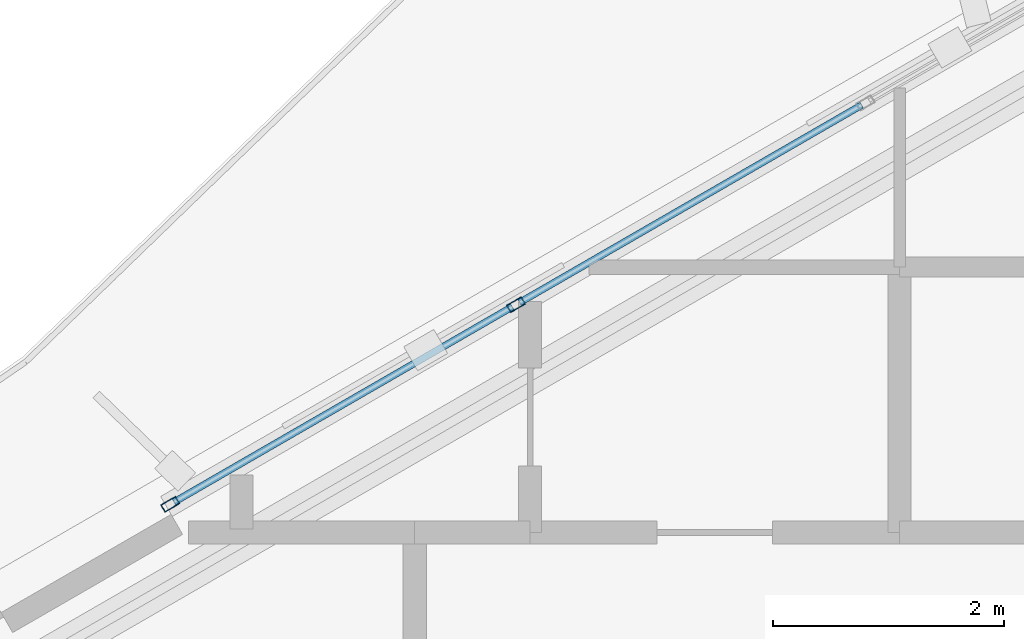
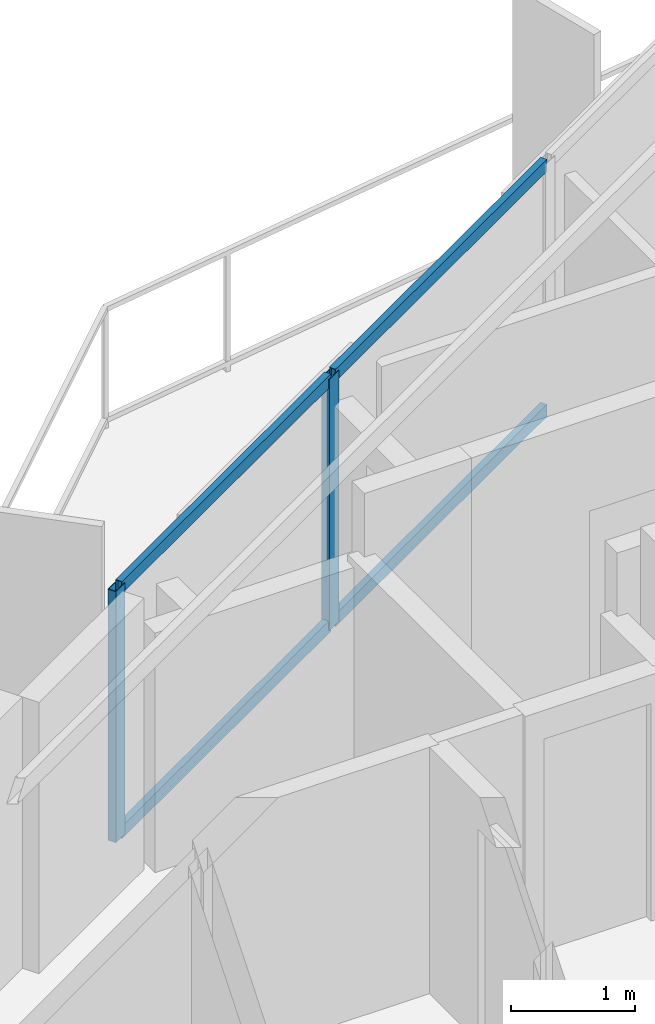
# One storey, part 5 of 18: 6 members, 1 element without a shape of its own.
"""IFC4 building model written with IfcOpenShell, lengths in metres."""

import ifcopenshell
import ifcopenshell.guid

model = None  # the IFC model being written
_history = None  # IfcOwnerHistory: only IFC2X3 demands one
_inside = {}  # id of a spatial element -> (the spatial element, [elements in it])
_under = {}  # id of a project, library or spatial element -> (it, [spatial elements below it])
_declared = {}  # id of a project -> (the project, [libraries it declares])
_typed = {}  # id of a type object -> (the type object, [elements of that type])
_made_of = {}  # id of a material, layer set ... -> (it, [elements and type objects made of it])


def new_model(schema):
    """Start an empty IFC model of exactly this schema.

    Asked for "IFC4X3", IfcOpenShell would pick the latest addendum, in which some entities
    have other attributes; the version numbers below select the first issue.
    IFC2X3 requires an IfcOwnerHistory on every rooted entity: one is made here for all.
    """
    global model, _history
    if schema == "IFC4X3":
        model = ifcopenshell.file(schema_version=(4, 3, 0, 0))
    else:
        model = ifcopenshell.file(schema=schema)
    _inside.clear()
    _under.clear()
    _declared.clear()
    _typed.clear()
    _made_of.clear()
    _history = None
    if model.schema == "IFC2X3":
        org = make("IfcOrganization", Name="unknown")
        user = make(
            "IfcPersonAndOrganization",
            ThePerson=make("IfcPerson", FamilyName="unknown"),
            TheOrganization=org,
        )
        app = make(
            "IfcApplication",
            ApplicationDeveloper=org,
            Version="unknown",
            ApplicationFullName="unknown",
            ApplicationIdentifier="unknown",
        )
        _history = make(
            "IfcOwnerHistory",
            OwningUser=user,
            OwningApplication=app,
            ChangeAction="ADDED",
            CreationDate=0,
        )
    return model


def make(cls, **values):
    """One entity of the class cls with the attributes given. An attribute that is None is left unset."""
    return model.create_entity(
        cls, **{name: value for name, value in values.items() if value is not None}
    )


def rooted(cls, **values):
    """An entity with a GlobalId (a new one), such as an element, a storey or a relation."""
    return make(cls, GlobalId=ifcopenshell.guid.new(), OwnerHistory=_history, **values)


def si_unit(unit_type, name, prefix=None):
    """IfcSIUnit, for example si_unit("LENGTHUNIT", "METRE", prefix="MILLI")."""
    return make("IfcSIUnit", UnitType=unit_type, Prefix=prefix, Name=name)


def assignment(units):
    """IfcUnitAssignment: the units of a project."""
    return None if units is None else make("IfcUnitAssignment", Units=units)


def point(xyz):
    """IfcCartesianPoint."""
    return None if xyz is None else make("IfcCartesianPoint", Coordinates=xyz)


def direction(xyz):
    """IfcDirection."""
    return None if xyz is None else make("IfcDirection", DirectionRatios=xyz)


def frame(location, z_axis=None, x_axis=None):
    """IfcAxis2Placement3D, a coordinate frame: its origin and axes. An axis left out is left unset."""
    return make(
        "IfcAxis2Placement3D",
        Location=point(location),
        Axis=direction(z_axis),
        RefDirection=direction(x_axis),
    )


def frame_2d(location, x_axis=None):
    """IfcAxis2Placement2D, a coordinate frame in the plane: its origin and x axis."""
    return make(
        "IfcAxis2Placement2D", Location=point(location), RefDirection=direction(x_axis)
    )


def origin():
    """The frame at (0, 0, 0) with its axes left unset."""
    return frame((0.0, 0.0, 0.0))


def origin_2d():
    """The frame at (0, 0) in the plane with its x axis left unset."""
    return frame_2d((0.0, 0.0))


def place(relative_to, where):
    """IfcLocalPlacement: puts the frame where relative to a parent placement (None: the world)."""
    return make(
        "IfcLocalPlacement", PlacementRelTo=relative_to, RelativePlacement=where
    )


def context(
    kind, dimensions, precision=None, world=None, true_north=None, identifier=None
):
    """IfcGeometricRepresentationContext, for example the 3D "Model" context."""
    return make(
        "IfcGeometricRepresentationContext",
        ContextIdentifier=identifier,
        ContextType=kind,
        CoordinateSpaceDimension=dimensions,
        Precision=precision,
        WorldCoordinateSystem=world,
        TrueNorth=true_north,
    )


def subcontext(parent, identifier, kind, view, scale=None):
    """IfcGeometricRepresentationSubContext, for example "Body" below "Model"."""
    return make(
        "IfcGeometricRepresentationSubContext",
        ContextIdentifier=identifier,
        ContextType=kind,
        ParentContext=parent,
        TargetScale=scale,
        TargetView=view,
    )


def project(units=None, contexts=None):
    """IfcProject with its units and contexts."""
    return rooted(
        "IfcProject",
        Name="project",
        RepresentationContexts=contexts,
        UnitsInContext=assignment(units),
    )


def spatial(cls, under=None, at=None, **own):
    """A site, building, storey or space (cls), placed at a placement, below another one or the project."""
    s = rooted(cls, ObjectPlacement=at, **own)
    if under is not None:
        _under.setdefault(under.id(), (under, []))[1].append(s)
    return s


def profile(cls, at=None, kind="AREA", **sizes):
    """A parametric profile (cls). Its sizes go by their IFC names, for example OverallWidth=200.0."""
    return make(cls, ProfileType=kind, Position=at, **sizes)


def hollow_rectangle(**sizes):
    """IfcRectangleHollowProfileDef."""
    return profile("IfcRectangleHollowProfileDef", **sizes)


def extrude(swept, where, along, depth):
    """IfcExtrudedAreaSolid: the profile swept, set in the frame where, extruded along a direction by depth."""
    return make(
        "IfcExtrudedAreaSolid",
        SweptArea=swept,
        Position=where,
        ExtrudedDirection=direction(along),
        Depth=depth,
    )


def shape(context_of_items, identifier, shape_type, items):
    """IfcShapeRepresentation: the items that make up one representation, for example the "Body"."""
    return make(
        "IfcShapeRepresentation",
        ContextOfItems=context_of_items,
        RepresentationIdentifier=identifier,
        RepresentationType=shape_type,
        Items=items,
    )


def material(Name=None, Category=None):
    """IfcMaterial."""
    return make("IfcMaterial", Name=Name, Category=Category)


def layer(
    of_material, thickness, ventilated=None, Name=None, Category=None, Priority=None
):
    """IfcMaterialLayer: one layer of a wall or slab, of a material (None: an air gap)."""
    return make(
        "IfcMaterialLayer",
        Material=of_material,
        LayerThickness=thickness,
        IsVentilated=ventilated,
        Name=Name,
        Category=Category,
        Priority=Priority,
    )


def layer_set(layers, Name=None):
    """IfcMaterialLayerSet."""
    return make("IfcMaterialLayerSet", MaterialLayers=layers, LayerSetName=Name)


def material_profile(
    of_material, cross_section, Name=None, Category=None, Priority=None
):
    """IfcMaterialProfile: a cross section and its material."""
    return make(
        "IfcMaterialProfile",
        Name=Name,
        Material=of_material,
        Profile=cross_section,
        Priority=Priority,
        Category=Category,
    )


def profile_set(profiles, Name=None, composite=None):
    """IfcMaterialProfileSet."""
    return make(
        "IfcMaterialProfileSet",
        Name=Name,
        MaterialProfiles=profiles,
        CompositeProfile=composite,
    )


def made_of(thing, what):
    """Note that an element or type object is made of a material, layer set ...; save() writes the relation."""
    if what is not None:
        _made_of.setdefault(what.id(), (what, []))[1].append(thing)
    return thing


def type_object(cls, material=None, **own):
    """A type object (cls), such as IfcWallType, which elements share."""
    return made_of(rooted(cls, **own), material)


def element(
    cls,
    number,
    at=None,
    inside=None,
    cuts=None,
    type_object=None,
    material=None,
    context=None,
    identifier="Body",
    shape_type=None,
    held_by="IfcProductDefinitionShape",
    body=None,
    shapes=None,
    **own,
):
    """One element of the class cls, such as IfcWall. Its Tag is "e" and its number.

    at: its placement. inside: the storey or other place that contains it. cuts: it is an
    opening in that element (IfcRelVoidsElement). A single representation is given by context,
    identifier, shape_type and body (its items); several are given by shapes. held_by: the class
    of the entity that holds the representations. save() writes the other relations.
    """
    e = rooted(cls, Tag="e%d" % number, ObjectPlacement=at, **own)
    if body is not None:
        shapes = [shape(context, identifier, shape_type, body)]
    if shapes is not None:
        e.Representation = make(held_by, Representations=shapes)
    if inside is not None:
        _inside.setdefault(inside.id(), (inside, []))[1].append(e)
    if cuts is not None:
        rooted(
            "IfcRelVoidsElement", RelatingBuildingElement=cuts, RelatedOpeningElement=e
        )
    if type_object is not None:
        _typed.setdefault(type_object.id(), (type_object, []))[1].append(e)
    return made_of(e, material)


def aggregate(whole, parts):
    """IfcRelAggregates: a whole, such as a stair, and the parts it consists of."""
    return rooted("IfcRelAggregates", RelatingObject=whole, RelatedObjects=parts)


def save(model, path):
    """Write the relations noted so far, then the file.

    IfcRelAggregates (storeys below a building ...), IfcRelContainedInSpatialStructure (elements
    in a storey), IfcRelDefinesByType, IfcRelAssociatesMaterial and IfcRelDeclares: one each for
    every whole, place, type object, material and project.
    """
    for whole, parts in _under.values():
        aggregate(whole, parts)
    for where, things in _inside.values():
        rooted(
            "IfcRelContainedInSpatialStructure",
            RelatedElements=things,
            RelatingStructure=where,
        )
    for kind, things in _typed.values():
        rooted("IfcRelDefinesByType", RelatedObjects=things, RelatingType=kind)
    for what, things in _made_of.values():
        rooted("IfcRelAssociatesMaterial", RelatedObjects=things, RelatingMaterial=what)
    for by, libraries in _declared.values():
        rooted("IfcRelDeclares", RelatingContext=by, RelatedDefinitions=libraries)
    model.write(path)


model = new_model("IFC4")

# Units and contexts
model_context = context("Model", 3, precision=1e-05, world=origin(), true_north=direction((0.0, 1.0)))
body_context = subcontext(model_context, "Body", "Model", "MODEL_VIEW")
ifc_project = project(units=[si_unit("LENGTHUNIT", "METRE"), si_unit("AREAUNIT", "SQUARE_METRE"), si_unit("VOLUMEUNIT", "CUBIC_METRE"), si_unit("PLANEANGLEUNIT", "RADIAN"), si_unit("MASSUNIT", "GRAM", prefix="KILO")], contexts=[model_context])

# Site, building, storey
site_placement = place(None, origin())
site = spatial("IfcSite", under=ifc_project, at=site_placement, CompositionType="ELEMENT")
building_placement = place(site_placement, origin())
building = spatial("IfcBuilding", under=site, at=building_placement, Name="Mersakhor Tower and Convention Hall", CompositionType="ELEMENT")
storey_placement = place(building_placement, frame((0.0, 0.0, 150.89990234375)))
storey = spatial("IfcBuildingStorey", under=building, at=storey_placement, Name="L42", CompositionType="ELEMENT", Elevation=150.89990234375)

# Curtain wall, members
ifc_material_1 = material(Name="Dark solar low-E aluminium curtain wall", Category="aluminium")
ifc_layer = layer(ifc_material_1, 0.169921875)
ifc_layer_set = layer_set([ifc_layer], Name="Dark solar low-E aluminium curtain wall")
curtain_wall_type = type_object("IfcCurtainWallType", Name="CW-SYS-02", PredefinedType="USERDEFINED", material=ifc_layer_set)
curtain_wall_placement = place(storey_placement, origin())
curtain_wall = element("IfcCurtainWall", 1, at=curtain_wall_placement, inside=storey, type_object=curtain_wall_type, Name="L42 Dark-Glass Curtain Wall F1-B2", ObjectType="CURTAIN WALL", PredefinedType="USERDEFINED")
ifc_material_2 = material(Name="Anodised aluminium EN AW-6063 T6", Category="aluminium")
ifc_material_profile_1 = material_profile(ifc_material_2, hollow_rectangle(XDim=0.074951171875, YDim=0.14990234375, WallThickness=0.00634765625, at=origin_2d()), Name="RHS 150x75x6.3")
ifc_profile_set_1 = profile_set([ifc_material_profile_1], Name="Anodised aluminium EN AW-6063 T6")
member_type_1 = type_object("IfcMemberType", Name="CWM-150x75", PredefinedType="MULLION", material=ifc_profile_set_1)
member_1_placement = place(storey_placement, frame((17.88232421875, 35.595458984375, 0.2001953125), z_axis=(0.0, 0.0, 1.0), x_axis=(-0.499990468363, 0.866030906807, 0.0)))
member_1 = element("IfcMember", 2, at=member_1_placement, type_object=member_type_1, Name="CW-02 mullion 1", PredefinedType="MULLION", context=body_context, shape_type="SweptSolid", body=[
    extrude(hollow_rectangle(XDim=0.074951171875, YDim=0.14990234375, WallThickness=0.00634765625, at=origin_2d()), origin(), (0.0, 0.0, 1.0), 2.47998046875),
])
member_2_placement = place(storey_placement, frame((20.876953125, 37.32421875, 0.2001953125), z_axis=(0.0, 0.0, 1.0), x_axis=(-0.499990468363, 0.866030906807, 0.0)))
member_2 = element("IfcMember", 3, at=member_2_placement, type_object=member_type_1, Name="CW-02 mullion 2", PredefinedType="MULLION", context=body_context, shape_type="SweptSolid", body=[
    extrude(hollow_rectangle(XDim=0.074951171875, YDim=0.14990234375, WallThickness=0.00634765625, at=origin_2d()), origin(), (0.0, 0.0, 1.0), 2.47998046875),
])
ifc_material_3 = material(Name="Anodised aluminium EN AW-6063 T6", Category="aluminium")
ifc_material_profile_2 = material_profile(ifc_material_3, hollow_rectangle(XDim=0.06005859375, YDim=0.1201171875, WallThickness=0.0048828125, at=origin_2d()), Name="RHS 120x60x5")
ifc_profile_set_2 = profile_set([ifc_material_profile_2], Name="Anodised aluminium EN AW-6063 T6")
member_type_2 = type_object("IfcMemberType", Name="CWT-120x60", PredefinedType="USERDEFINED", material=ifc_profile_set_2)
member_3_placement = place(storey_placement, frame((17.914794921875, 35.6142578125, 0.22998046875), z_axis=(0.866031754707, 0.499988999718, 0.0), x_axis=(-0.499988999718, 0.866031754707, 0.0)))
member_3 = element("IfcMember", 4, at=member_3_placement, type_object=member_type_2, Name="CW-02 transom 1.1", ObjectType="TRANSOM", PredefinedType="USERDEFINED", context=body_context, shape_type="SweptSolid", body=[
    extrude(hollow_rectangle(XDim=0.06005859375, YDim=0.1201171875, WallThickness=0.0048828125, at=origin_2d()), origin(), (0.0, 0.0, 1.0), 3.3828125),
])
member_4_placement = place(storey_placement, frame((17.914794921875, 35.6142578125, 2.650146484375), z_axis=(0.866031754707, 0.499988999718, 0.0), x_axis=(-0.499988999718, 0.866031754707, 0.0)))
member_4 = element("IfcMember", 5, at=member_4_placement, type_object=member_type_2, Name="CW-02 transom 1.2", ObjectType="TRANSOM", PredefinedType="USERDEFINED", context=body_context, shape_type="SweptSolid", body=[
    extrude(hollow_rectangle(XDim=0.06005859375, YDim=0.1201171875, WallThickness=0.0048828125, at=origin_2d()), origin(), (0.0, 0.0, 1.0), 3.3828125),
])
member_5_placement = place(storey_placement, frame((20.909423828125, 37.343017578125, 0.22998046875), z_axis=(0.866007273829, 0.50003140069, 0.0), x_axis=(-0.50003140069, 0.866007273829, 0.0)))
member_5 = element("IfcMember", 6, at=member_5_placement, type_object=member_type_2, Name="CW-02 transom 2.1", ObjectType="TRANSOM", PredefinedType="USERDEFINED", context=body_context, shape_type="SweptSolid", body=[
    extrude(hollow_rectangle(XDim=0.06005859375, YDim=0.1201171875, WallThickness=0.0048828125, at=origin_2d()), origin(), (0.0, 0.0, 1.0), 3.420166015625),
])
member_6_placement = place(storey_placement, frame((20.909423828125, 37.343017578125, 2.650146484375), z_axis=(0.866007273829, 0.50003140069, 0.0), x_axis=(-0.50003140069, 0.866007273829, 0.0)))
member_6 = element("IfcMember", 7, at=member_6_placement, type_object=member_type_2, Name="CW-02 transom 2.2", ObjectType="TRANSOM", PredefinedType="USERDEFINED", context=body_context, shape_type="SweptSolid", body=[
    extrude(hollow_rectangle(XDim=0.06005859375, YDim=0.1201171875, WallThickness=0.0048828125, at=origin_2d()), origin(), (0.0, 0.0, 1.0), 3.420166015625),
])
aggregate(curtain_wall, [member_1, member_2, member_3, member_4, member_5, member_6])

save(model, "model.ifc")
